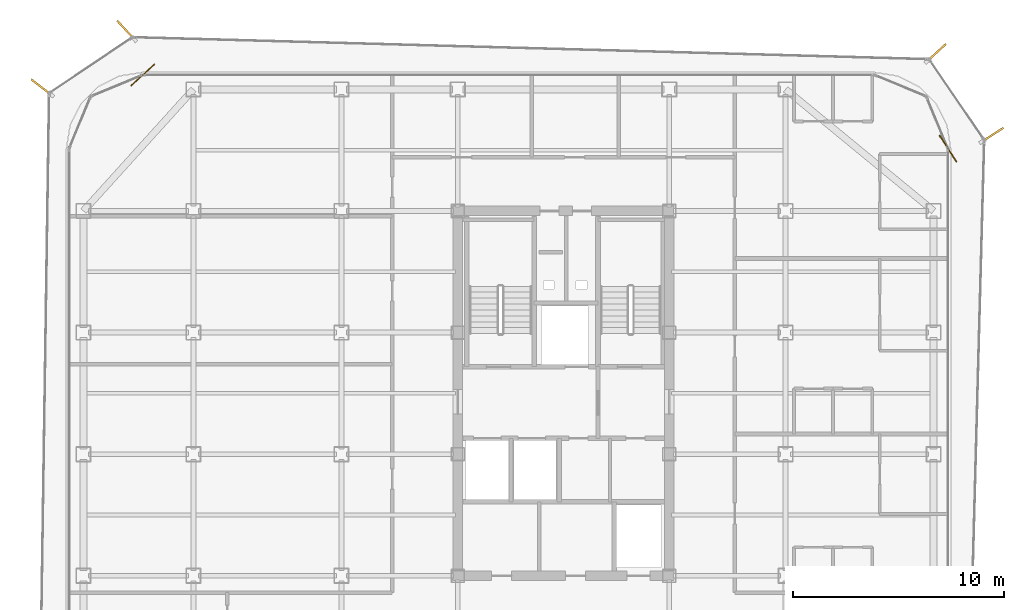
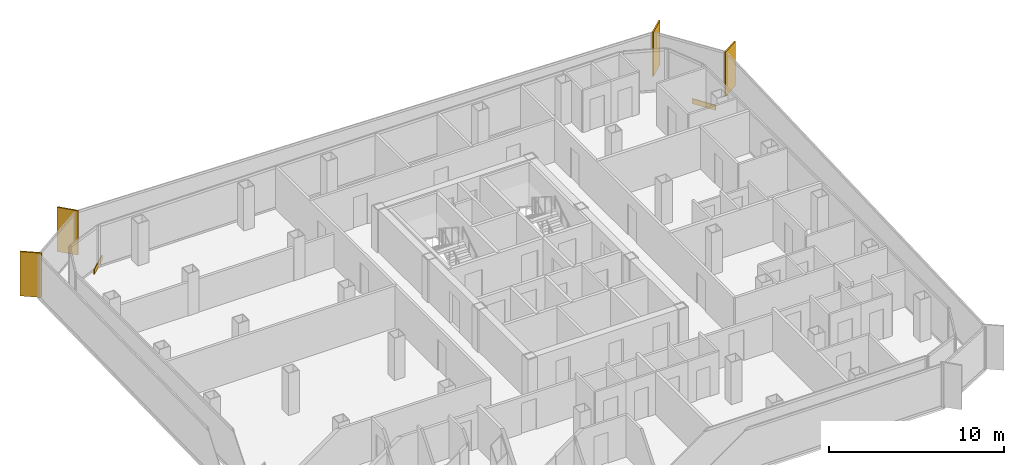
# One storey, part 16 of 16: 4 shading devices, 2 coverings.
"""IFC4 building model written with IfcOpenShell, lengths in metres."""

from ifc_helpers import new_model, si_unit, direction, frame, origin, origin_2d, place, context, subcontext, project, spatial, rectangle, extrude, source, transform, mapped, material, layer, layer_set, type_object, element, save


model = new_model("IFC4")

# Units and contexts
model_context = context("Model", 3, precision=1e-05, world=origin(), true_north=direction((0.0, 1.0)))
body_context = subcontext(model_context, "Body", "Model", "MODEL_VIEW")
ifc_project = project(units=[si_unit("LENGTHUNIT", "METRE"), si_unit("AREAUNIT", "SQUARE_METRE"), si_unit("VOLUMEUNIT", "CUBIC_METRE"), si_unit("PLANEANGLEUNIT", "RADIAN"), si_unit("MASSUNIT", "GRAM", prefix="KILO")], contexts=[model_context])

# Site, building, storey
site_placement = place(None, origin())
site = spatial("IfcSite", under=ifc_project, at=site_placement, CompositionType="ELEMENT")
building_placement = place(site_placement, origin())
building = spatial("IfcBuilding", under=site, at=building_placement, Name="Kolveth Station Tower", CompositionType="ELEMENT")
storey_placement = place(building_placement, frame((0.0, 0.0, 175.300048828125)))
storey = spatial("IfcBuildingStorey", under=building, at=storey_placement, Name="L49", CompositionType="ELEMENT", Elevation=175.300048828125)

# Shading devices
ifc_material_1 = material(Name="Black anodized aluminium 6063-T6", Category="aluminium")
shading_device_type = type_object("IfcShadingDeviceType", Name="FIN_VF1", PredefinedType="USERDEFINED", material=ifc_material_1)
shared_shape_1 = source(origin(), body_context, "Body", "SweptSolid", [
    extrude(rectangle(XDim=1.25, YDim=0.090087890625, at=origin_2d()), origin(), (0.0, 0.0, 1.0), 3.10009765625),
])
for number, where, z_axis, x_axis, name in (
    (1, (43.778076171875, 32.346923828125, 0.0), (0.0, 0.0, 1.0), (0.841322151234, 0.540534030235, 0.0), "L49 Dark-Aluminium Solar Fin 3"),
    (2, (41.1240234375, 36.22607421875, 0.0), (0.0, 0.0, 1.0), (0.73645139763, 0.676490457382, 0.0), "L49 Dark-Aluminium Solar Fin 4"),
    (3, (2.81494140625, 37.291015625, 0.0), (0.0, 0.0, 1.0), (-0.677389697402, 0.735624359204, 0.0), "L49 Dark-Aluminium Solar Fin 5"),
    (4, (-1.176025390625, 34.593017578125, 0.0), (0.0, 0.0, 1.0), (-0.793247079295, 0.608899886015, 0.0), "L49 Dark-Aluminium Solar Fin 6"),
):
    element("IfcShadingDevice", number, at=place(storey_placement, frame(where, z_axis=z_axis, x_axis=x_axis)), inside=storey, type_object=shading_device_type, Name=name, ObjectType="FIN", PredefinedType="USERDEFINED", context=body_context, shape_type="MappedRepresentation", body=[
        mapped(shared_shape_1, transform((0.0, 0.0, 0.0), x_axis=(1.0, 0.0, 0.0), y_axis=(0.0, 1.0, 0.0), z_axis=(0.0, 0.0, 1.0), scale=1.0)),
    ])

# Coverings
ifc_material_2 = material(Name="Charcoal anodized aluminium spandrel cladding", Category="aluminium")
ifc_layer = layer(ifc_material_2, 0.044921875)
ifc_layer_set = layer_set([ifc_layer], Name="Charcoal anodized aluminium spandrel cladding")
covering_type = type_object("IfcCoveringType", Name="Clad_CD1", PredefinedType="CLADDING", material=ifc_layer_set)
shared_shape_2 = source(origin(), body_context, "Body", "SweptSolid", [
    extrude(rectangle(XDim=1.5, YDim=0.044921875, at=origin_2d()), origin(), (0.0, 0.0, 1.0), 0.360107421875),
])
for number, where, z_axis, x_axis, name in (
    (5, (41.679931640625, 31.699951171875, 0.0), (0.0, 0.0, 1.0), (-0.540534030235, 0.841322151234, 0.0), "L49 Spandrel Edge Cladding 3"),
    (6, (3.60009765625, 35.179931640625, 0.0), (0.0, 0.0, 1.0), (-0.735624359204, -0.677389697402, 0.0), "L49 Spandrel Edge Cladding 5"),
):
    element("IfcCovering", number, at=place(storey_placement, frame(where, z_axis=z_axis, x_axis=x_axis)), inside=storey, type_object=covering_type, Name=name, PredefinedType="CLADDING", context=body_context, shape_type="MappedRepresentation", body=[
        mapped(shared_shape_2, transform((0.0, 0.0, 0.0), x_axis=(1.0, 0.0, 0.0), y_axis=(0.0, 1.0, 0.0), z_axis=(0.0, 0.0, 1.0), scale=1.0)),
    ])

save(model, "model.ifc")
